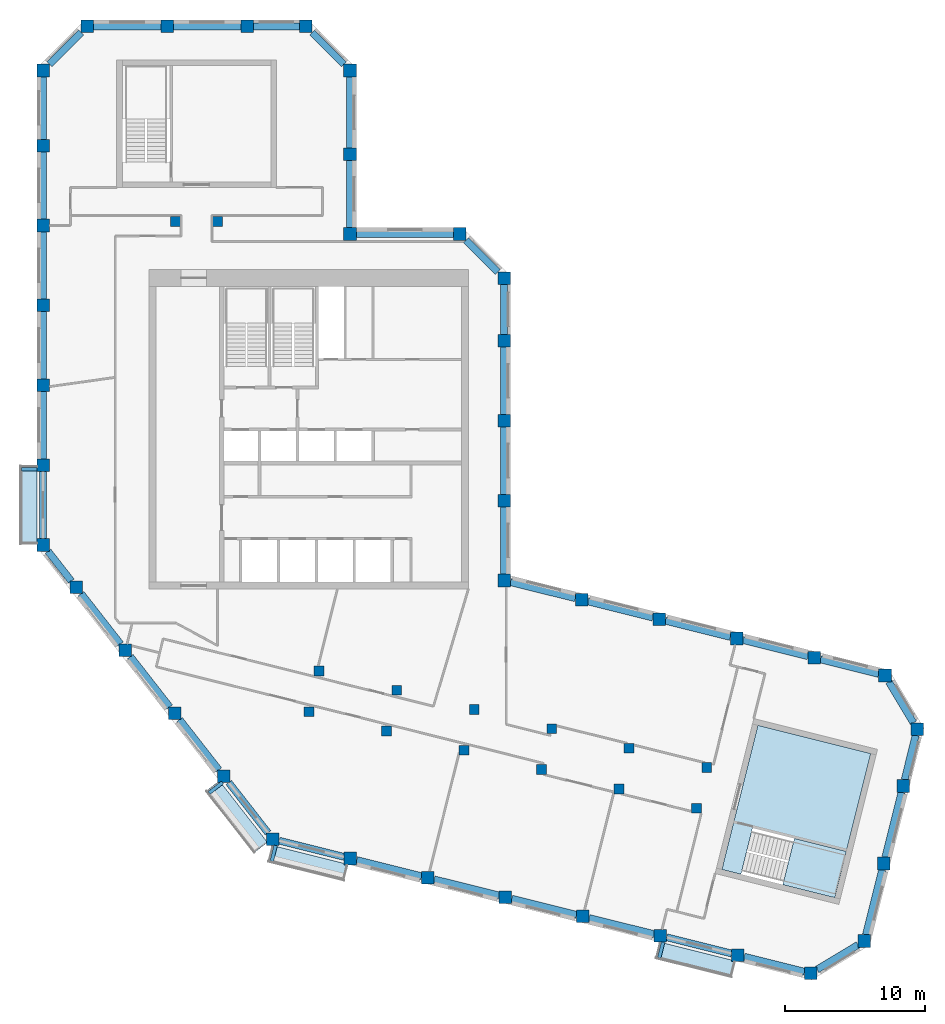
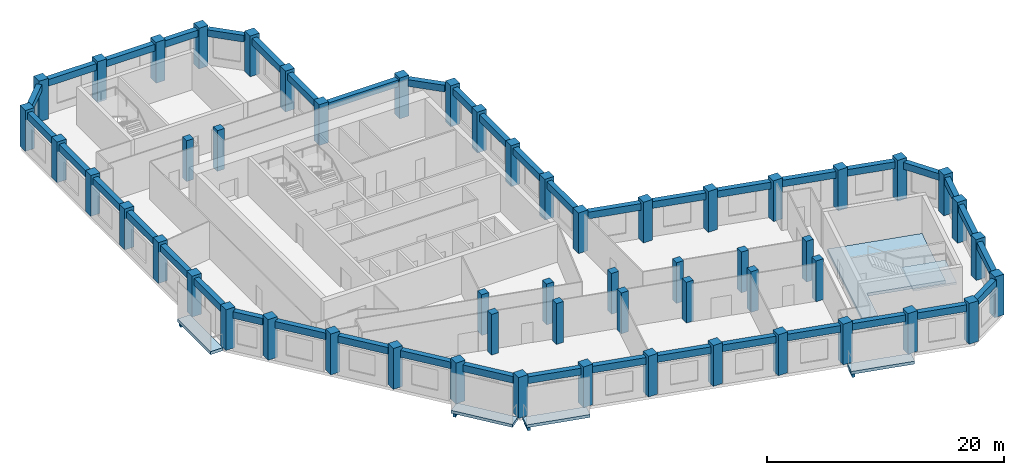
# One storey, part 1 of 8: 55 columns, 45 beams, 6 slabs, 1 element without a shape of its own.
"""IFC4 building model written with IfcOpenShell, lengths in metres."""

from ifc_helpers import new_model, si_unit, direction, frame, origin, origin_2d, place, context, subcontext, project, spatial, polyline, rectangle, outline, extrude, material, layer, layer_set, material_profile, profile_set, type_object, element, aggregate, save


model = new_model("IFC4")

# Units and contexts
model_context = context("Model", 3, precision=1e-05, world=origin(), true_north=direction((0.0, 1.0)))
body_context = subcontext(model_context, "Body", "Model", "MODEL_VIEW")
ifc_project = project(units=[si_unit("LENGTHUNIT", "METRE"), si_unit("AREAUNIT", "SQUARE_METRE"), si_unit("VOLUMEUNIT", "CUBIC_METRE"), si_unit("PLANEANGLEUNIT", "RADIAN"), si_unit("MASSUNIT", "GRAM", prefix="KILO")], contexts=[model_context])

# Site, building, storey
site_placement = place(None, origin())
site = spatial("IfcSite", under=ifc_project, at=site_placement, CompositionType="ELEMENT")
building_placement = place(site_placement, origin())
building = spatial("IfcBuilding", under=site, at=building_placement, Name="Meshkara Civic Tower", CompositionType="ELEMENT")
storey_placement = place(building_placement, frame((0.0, 0.0, 362.39990234375)))
storey = spatial("IfcBuildingStorey", under=building, at=storey_placement, Name="L83", CompositionType="ELEMENT", Elevation=362.39990234375)

# Columns
ifc_material_1 = material(Name="Concrete C50", Category="concrete")
ifc_material_profile_1 = material_profile(ifc_material_1, rectangle(XDim=0.699951171875, YDim=0.699951171875, at=origin_2d()))
ifc_profile_set_1 = profile_set([ifc_material_profile_1], Name="Concrete C50")
column_type_1 = type_object("IfcColumnType", Name="Interior column RC 700x700 C50", PredefinedType="COLUMN", material=ifc_profile_set_1)
for number, where, z_axis, x_axis, name in (
    (1, (9.89990234375, 40.35009765625, 0.0), (0.0, 0.0, 1.0), (1.0, 0.0, 0.0), "Column SA1-04 L83"),
    (2, (12.89990234375, 40.35009765625, 0.0), (0.0, 0.0, 1.0), (1.0, 0.0, 0.0), "Column SA2-04 L83"),
    (3, (19.424072265625, 5.360107421875, 0.0), (0.0, 0.0, 1.0), (1.0, 0.0, 0.0), "Column SB1-00 L83"),
    (4, (24.9541015625, 3.98095703125, 0.0), (0.0, 0.0, 1.0), (1.0, 0.0, 0.0), "Column SB1-01 L83"),
    (5, (30.485107421875, 2.60205078125, 0.0), (0.0, 0.0, 1.0), (1.0, 0.0, 0.0), "Column SB1-02 L83"),
    (6, (36.01611328125, 1.222900390625, 0.0), (0.0, 0.0, 1.0), (1.0, 0.0, 0.0), "Column SB1-03 L83"),
    (7, (41.5458984375, -0.156005859375, 0.0), (0.0, 0.0, 1.0), (1.0, 0.0, 0.0), "Column SB1-04 L83"),
    (8, (47.076904296875, -1.534912109375, 0.0), (0.0, 0.0, 1.0), (1.0, 0.0, 0.0), "Column SB1-05 L83"),
    (9, (20.14892578125, 8.27099609375, 0.0), (0.0, 0.0, 1.0), (1.0, 0.0, 0.0), "Column SB2-00 L83"),
    (10, (25.679931640625, 6.89208984375, 0.0), (0.0, 0.0, 1.0), (1.0, 0.0, 0.0), "Column SB2-01 L83"),
    (11, (31.2109375, 5.512939453125, 0.0), (0.0, 0.0, 1.0), (1.0, 0.0, 0.0), "Column SB2-02 L83"),
    (12, (36.741943359375, 4.134033203125, 0.0), (0.0, 0.0, 1.0), (1.0, 0.0, 0.0), "Column SB2-03 L83"),
    (13, (42.27197265625, 2.7548828125, 0.0), (0.0, 0.0, 1.0), (1.0, 0.0, 0.0), "Column SB2-04 L83"),
    (14, (47.802978515625, 1.3759765625, 0.0), (0.0, 0.0, 1.0), (1.0, 0.0, 0.0), "Column SB2-05 L83"),
):
    element("IfcColumn", number, at=place(storey_placement, frame(where, z_axis=z_axis, x_axis=x_axis)), inside=storey, type_object=column_type_1, Name=name, PredefinedType="COLUMN", context=body_context, shape_type="SweptSolid", body=[
        extrude(rectangle(XDim=0.699951171875, YDim=0.699951171875, at=origin_2d()), origin(), (0.0, 0.0, 1.0), 4.2001953125),
    ])
ifc_material_2 = material(Name="Concrete C50", Category="concrete")
ifc_material_profile_2 = material_profile(ifc_material_2, rectangle(XDim=0.89990234375, YDim=0.89990234375, at=origin_2d()))
ifc_profile_set_2 = profile_set([ifc_material_profile_2], Name="Concrete C50")
column_type_2 = type_object("IfcColumnType", Name="Perimeter column RC 900x900 C50", PredefinedType="COLUMN", material=ifc_profile_set_2)
for number, where, z_axis, x_axis, name in (
    (15, (33.35009765625, 14.718994140625, 0.0), (0.0, 0.0, 1.0), (1.0, 0.0, 0.0), "Column HE00 L83"),
    (16, (33.35009765625, 20.4189453125, 0.0), (0.0, 0.0, 1.0), (1.0, 0.0, 0.0), "Column HE01 L83"),
    (17, (33.35009765625, 26.118896484375, 0.0), (0.0, 0.0, 1.0), (1.0, 0.0, 0.0), "Column HE02 L83"),
    (18, (33.35009765625, 31.819091796875, 0.0), (0.0, 0.0, 1.0), (1.0, 0.0, 0.0), "Column HE03 L83"),
    (19, (33.35009765625, 36.2939453125, 0.0), (0.0, 0.0, 1.0), (1.0, 0.0, 0.0), "Column HEE L83"),
    (20, (30.194091796875, 39.449951171875, 0.0), (0.0, 0.0, 1.0), (1.0, 0.0, 0.0), "Column HCeE L83"),
    (21, (22.35009765625, 39.449951171875, 0.0), (0.0, 0.0, 1.0), (1.0, 0.0, 0.0), "Column HN00 L83"),
    (22, (22.35009765625, 45.14990234375, 0.0), (0.0, 0.0, 1.0), (1.0, 0.0, 0.0), "Column AE01 L83"),
    (23, (22.35009765625, 51.114013671875, 0.0), (0.0, 0.0, 1.0), (1.0, 0.0, 0.0), "Column AEEP5 L83"),
    (24, (19.194091796875, 54.27001953125, 0.0), (0.0, 0.0, 1.0), (1.0, 0.0, 0.0), "Column ATiEP5 L83"),
    (25, (3.60595703125, 54.27001953125, 0.0), (0.0, 0.0, 1.0), (1.0, 0.0, 0.0), "Column AT00-P5 L83"),
    (26, (9.305908203125, 54.27001953125, 0.0), (0.0, 0.0, 1.0), (1.0, 0.0, 0.0), "Column AT01-P5 L83"),
    (27, (15.006103515625, 54.27001953125, 0.0), (0.0, 0.0, 1.0), (1.0, 0.0, 0.0), "Column AT02-P5 L83"),
    (28, (0.449951171875, 51.114013671875, 0.0), (0.0, 0.0, 1.0), (1.0, 0.0, 0.0), "Column ATo00-P5 L83"),
    (29, (0.449951171875, 17.2548828125, 0.0), (0.0, 0.0, 1.0), (1.0, 0.0, 0.0), "Column AW00 L83"),
    (30, (0.449951171875, 22.955078125, 0.0), (0.0, 0.0, 1.0), (1.0, 0.0, 0.0), "Column AW01 L83"),
    (31, (0.449951171875, 28.655029296875, 0.0), (0.0, 0.0, 1.0), (1.0, 0.0, 0.0), "Column AW02 L83"),
    (32, (0.449951171875, 34.35498046875, 0.0), (0.0, 0.0, 1.0), (1.0, 0.0, 0.0), "Column AW03 L83"),
    (33, (0.449951171875, 40.054931640625, 0.0), (0.0, 0.0, 1.0), (1.0, 0.0, 0.0), "Column AW04 L83"),
    (34, (0.449951171875, 45.7548828125, 0.0), (0.0, 0.0, 1.0), (1.0, 0.0, 0.0), "Column AW05 L83"),
    (35, (16.85107421875, -3.738037109375, 0.0), (0.0, 0.0, 1.0), (1.0, 0.0, 0.0), "Column BOW00 L83"),
    (36, (13.342041015625, 0.75390625, 0.0), (0.0, 0.0, 1.0), (1.0, 0.0, 0.0), "Column BOW01 L83"),
    (37, (9.8330078125, 5.2451171875, 0.0), (0.0, 0.0, 1.0), (1.0, 0.0, 0.0), "Column BOW02 L83"),
    (38, (6.322998046875, 9.737060546875, 0.0), (0.0, 0.0, 1.0), (1.0, 0.0, 0.0), "Column BOW03 L83"),
    (39, (2.81396484375, 14.22900390625, 0.0), (0.0, 0.0, 1.0), (1.0, 0.0, 0.0), "Column BOW04 L83"),
    (40, (22.382080078125, -5.116943359375, 0.0), (0.0, 0.0, 1.0), (1.0, 0.0, 0.0), "Column BS01 L83"),
    (41, (27.912109375, -6.49609375, 0.0), (0.0, 0.0, 1.0), (1.0, 0.0, 0.0), "Column BS02 L83"),
    (42, (33.443115234375, -7.875, 0.0), (0.0, 0.0, 1.0), (1.0, 0.0, 0.0), "Column BS03 L83"),
    (43, (38.97412109375, -9.25390625, 0.0), (0.0, 0.0, 1.0), (1.0, 0.0, 0.0), "Column BS04 L83"),
    (44, (44.50390625, -10.633056640625, 0.0), (0.0, 0.0, 1.0), (1.0, 0.0, 0.0), "Column BS05-P4 L83"),
    (45, (50.034912109375, -12.011962890625, 0.0), (0.0, 0.0, 1.0), (1.0, 0.0, 0.0), "Column BS06-P4 L83"),
    (46, (55.235107421875, -13.30810546875, 0.0), (0.0, 0.0, 1.0), (1.0, 0.0, 0.0), "Column BSEP5 L83"),
    (47, (59.06103515625, -11.009033203125, 0.0), (0.0, 0.0, 1.0), (1.0, 0.0, 0.0), "Column BToEP5 L83"),
    (48, (60.43994140625, -5.47802734375, 0.0), (0.0, 0.0, 1.0), (1.0, 0.0, 0.0), "Column BT01-P5 L83"),
    (49, (61.819091796875, 0.052001953125, 0.0), (0.0, 0.0, 1.0), (1.0, 0.0, 0.0), "Column BT02-P5 L83"),
    (50, (62.83203125, 4.114990234375, 0.0), (0.0, 0.0, 1.0), (1.0, 0.0, 0.0), "Column BTEP5 L83"),
    (51, (60.532958984375, 7.94091796875, 0.0), (0.0, 0.0, 1.0), (1.0, 0.0, 0.0), "Column BTi00-P5 L83"),
    (52, (38.881103515625, 13.340087890625, 0.0), (0.0, 0.0, 1.0), (1.0, 0.0, 0.0), "Column BN01 L83"),
    (53, (44.410888671875, 11.9609375, 0.0), (0.0, 0.0, 1.0), (1.0, 0.0, 0.0), "Column BN02 L83"),
    (54, (49.94189453125, 10.58203125, 0.0), (0.0, 0.0, 1.0), (1.0, 0.0, 0.0), "Column BN03 L83"),
    (55, (55.472900390625, 9.202880859375, 0.0), (0.0, 0.0, 1.0), (1.0, 0.0, 0.0), "Column BN04 L83"),
):
    element("IfcColumn", number, at=place(storey_placement, frame(where, z_axis=z_axis, x_axis=x_axis)), inside=storey, type_object=column_type_2, Name=name, PredefinedType="COLUMN", context=body_context, shape_type="SweptSolid", body=[
        extrude(rectangle(XDim=0.89990234375, YDim=0.89990234375, at=origin_2d()), origin(), (0.0, 0.0, 1.0), 4.2001953125),
    ])

# Beams
ifc_material_3 = material(Name="Concrete C50", Category="concrete")
ifc_material_profile_3 = material_profile(ifc_material_3, rectangle(XDim=0.25, YDim=0.39990234375, at=origin_2d()))
ifc_profile_set_3 = profile_set([ifc_material_profile_3], Name="Concrete C50")
beam_type_1 = type_object("IfcBeamType", Name="Balcony bracket beam RC 250x400 C50", PredefinedType="BEAM", material=ifc_profile_set_3)
beam_1_placement = place(storey_placement, frame((0.0048828125, 22.655029296875, -0.5), z_axis=(-1.0, 0.0, 0.0), x_axis=(0.0, -1.0, 0.0)))
element("IfcBeam", 56, at=beam_1_placement, inside=storey, type_object=beam_type_1, Name="Balcony bracket beam", PredefinedType="BEAM", context=body_context, shape_type="SweptSolid", body=[
    extrude(rectangle(XDim=0.25, YDim=0.39990234375, at=origin_2d()), origin(), (0.0, 0.0, 1.0), 1.10498046875),
])
beam_2_placement = place(storey_placement, frame((13.257080078125, 0.306884765625, -0.5), z_axis=(-0.788012120422, -0.615659725878, 0.0), x_axis=(0.615659725878, -0.788012120422, 0.0)))
element("IfcBeam", 57, at=beam_2_placement, inside=storey, type_object=beam_type_1, Name="Balcony bracket beam", PredefinedType="BEAM", context=body_context, shape_type="SweptSolid", body=[
    extrude(rectangle(XDim=0.25, YDim=0.39990234375, at=origin_2d()), origin(), (0.0, 0.0, 1.0), 1.208251953125),
])
beam_3_placement = place(storey_placement, frame((17.049072265625, -4.18310546875, -0.5), z_axis=(-0.241944119929, -0.970290184858, 0.0), x_axis=(0.970290184858, -0.241944119929, 0.0)))
element("IfcBeam", 58, at=beam_3_placement, inside=storey, type_object=beam_type_1, Name="Balcony bracket beam", PredefinedType="BEAM", context=body_context, shape_type="SweptSolid", body=[
    extrude(rectangle(XDim=0.25, YDim=0.39990234375, at=origin_2d()), origin(), (0.0, 0.0, 1.0), 1.16552734375),
])
beam_4_placement = place(storey_placement, frame((44.701904296875, -11.077880859375, -0.5), z_axis=(-0.241894953997, -0.970302443175, 0.0), x_axis=(0.970302443175, -0.241894953997, 0.0)))
element("IfcBeam", 59, at=beam_4_placement, inside=storey, type_object=beam_type_1, Name="Balcony bracket beam", PredefinedType="BEAM", context=body_context, shape_type="SweptSolid", body=[
    extrude(rectangle(XDim=0.25, YDim=0.39990234375, at=origin_2d()), origin(), (0.0, 0.0, 1.0), 1.165771484375),
])
ifc_material_4 = material(Name="Concrete C50", Category="concrete")
ifc_material_profile_4 = material_profile(ifc_material_4, rectangle(XDim=0.5, YDim=0.699951171875, at=origin_2d()))
ifc_profile_set_4 = profile_set([ifc_material_profile_4], Name="Concrete C50")
beam_type_2 = type_object("IfcBeamType", Name="Spandrel beam RC 500x700 C50", PredefinedType="BEAM", material=ifc_profile_set_4)
for number, where, z_axis, x_axis, name in (
    (60, (55.02783203125, 9.31396484375, 3.550048828125), (-0.970298442389, 0.241911001604, 0.0), (-0.241911001604, -0.970298442389, 0.0), "Spandrel beam BN03-BN04"),
    (61, (49.496826171875, 10.693115234375, 3.550048828125), (-0.970298442389, 0.241911001604, 0.0), (-0.241911001604, -0.970298442389, 0.0), "Spandrel beam BN02-BN03"),
):
    element("IfcBeam", number, at=place(storey_placement, frame(where, z_axis=z_axis, x_axis=x_axis)), inside=storey, type_object=beam_type_2, Name=name, PredefinedType="BEAM", context=body_context, shape_type="SweptSolid", body=[
        extrude(rectangle(XDim=0.5, YDim=0.699951171875, at=origin_2d()), origin(), (0.0, 0.0, 1.0), 4.78271484375),
    ])
beam_5_placement = place(storey_placement, frame((43.9658203125, 12.072021484375, 3.550048828125), z_axis=(-0.970286489601, 0.241958938867, 0.0), x_axis=(-0.241958938867, -0.970286489601, 0.0)))
element("IfcBeam", 62, at=beam_5_placement, inside=storey, type_object=beam_type_2, Name="Spandrel beam BN01-BN02", PredefinedType="BEAM", context=body_context, shape_type="SweptSolid", body=[
    extrude(rectangle(XDim=0.5, YDim=0.699951171875, at=origin_2d()), origin(), (0.0, 0.0, 1.0), 4.78173828125),
])
beam_6_placement = place(storey_placement, frame((38.435791015625, 13.450927734375, 3.550048828125), z_axis=(-0.970298442389, 0.241911001604, 0.0), x_axis=(-0.241911001604, -0.970298442389, 0.0)))
element("IfcBeam", 63, at=beam_6_placement, inside=storey, type_object=beam_type_2, Name="Spandrel beam BN01-HE00", PredefinedType="BEAM", context=body_context, shape_type="SweptSolid", body=[
    extrude(rectangle(XDim=0.5, YDim=0.699951171875, at=origin_2d()), origin(), (0.0, 0.0, 1.0), 4.78271484375),
])
for number, where, z_axis, x_axis, name in (
    (64, (33.35009765625, 15.1640625, 3.550048828125), (0.0, 1.0, 0.0), (-1.0, 0.0, 0.0), "Spandrel beam HE00-HE01"),
    (65, (33.35009765625, 20.864013671875, 3.550048828125), (0.0, 1.0, 0.0), (-1.0, 0.0, 0.0), "Spandrel beam HE01-HE02"),
    (66, (33.35009765625, 26.56396484375, 3.550048828125), (0.0, 1.0, 0.0), (-1.0, 0.0, 0.0), "Spandrel beam HE02-HE03"),
):
    element("IfcBeam", number, at=place(storey_placement, frame(where, z_axis=z_axis, x_axis=x_axis)), inside=storey, type_object=beam_type_2, Name=name, PredefinedType="BEAM", context=body_context, shape_type="SweptSolid", body=[
        extrude(rectangle(XDim=0.5, YDim=0.699951171875, at=origin_2d()), origin(), (0.0, 0.0, 1.0), 4.81005859375),
    ])
beam_7_placement = place(storey_placement, frame((33.35009765625, 32.263916015625, 3.550048828125), z_axis=(0.0, 1.0, 0.0), x_axis=(-1.0, 0.0, 0.0)))
element("IfcBeam", 67, at=beam_7_placement, inside=storey, type_object=beam_type_2, Name="Spandrel beam HE03-HEE", PredefinedType="BEAM", context=body_context, shape_type="SweptSolid", body=[
    extrude(rectangle(XDim=0.5, YDim=0.699951171875, at=origin_2d()), origin(), (0.0, 0.0, 1.0), 3.585205078125),
])
beam_8_placement = place(storey_placement, frame((32.903564453125, 36.740478515625, 3.550048828125), z_axis=(-0.707144921739, 0.707068638576, 0.0), x_axis=(-0.707068638576, -0.707144921739, 0.0)))
element("IfcBeam", 68, at=beam_8_placement, inside=storey, type_object=beam_type_2, Name="Spandrel beam HCeE-HEE", PredefinedType="BEAM", context=body_context, shape_type="SweptSolid", body=[
    extrude(rectangle(XDim=0.5, YDim=0.699951171875, at=origin_2d()), origin(), (0.0, 0.0, 1.0), 3.200439453125),
])
beam_9_placement = place(storey_placement, frame((29.7490234375, 39.449951171875, 3.550048828125), z_axis=(-1.0, 0.0, 0.0), x_axis=(0.0, -1.0, 0.0)))
element("IfcBeam", 69, at=beam_9_placement, inside=storey, type_object=beam_type_2, Name="Spandrel beam HCeE-HN00", PredefinedType="BEAM", context=body_context, shape_type="SweptSolid", body=[
    extrude(rectangle(XDim=0.5, YDim=0.699951171875, at=origin_2d()), origin(), (0.0, 0.0, 1.0), 6.9541015625),
])
beam_10_placement = place(storey_placement, frame((22.35009765625, 39.89501953125, 3.550048828125), z_axis=(0.0, 1.0, 0.0), x_axis=(-1.0, 0.0, 0.0)))
element("IfcBeam", 70, at=beam_10_placement, inside=storey, type_object=beam_type_2, Name="Spandrel beam AE01-HN00", PredefinedType="BEAM", context=body_context, shape_type="SweptSolid", body=[
    extrude(rectangle(XDim=0.5, YDim=0.699951171875, at=origin_2d()), origin(), (0.0, 0.0, 1.0), 4.81005859375),
])
beam_11_placement = place(storey_placement, frame((22.35009765625, 45.594970703125, 3.550048828125), z_axis=(0.0, 1.0, 0.0), x_axis=(-1.0, 0.0, 0.0)))
element("IfcBeam", 71, at=beam_11_placement, inside=storey, type_object=beam_type_2, Name="Spandrel beam AE01-AEEP5", PredefinedType="BEAM", context=body_context, shape_type="SweptSolid", body=[
    extrude(rectangle(XDim=0.5, YDim=0.699951171875, at=origin_2d()), origin(), (0.0, 0.0, 1.0), 5.073974609375),
])
beam_12_placement = place(storey_placement, frame((21.903564453125, 51.560546875, 3.550048828125), z_axis=(-0.707144921739, 0.707068638576, 0.0), x_axis=(-0.707068638576, -0.707144921739, 0.0)))
element("IfcBeam", 72, at=beam_12_placement, inside=storey, type_object=beam_type_2, Name="Spandrel beam AEEP5-ATiEP5", PredefinedType="BEAM", context=body_context, shape_type="SweptSolid", body=[
    extrude(rectangle(XDim=0.5, YDim=0.699951171875, at=origin_2d()), origin(), (0.0, 0.0, 1.0), 3.200439453125),
])
beam_13_placement = place(storey_placement, frame((18.7490234375, 54.27001953125, 3.550048828125), z_axis=(-1.0, 0.0, 0.0), x_axis=(0.0, -1.0, 0.0)))
element("IfcBeam", 73, at=beam_13_placement, inside=storey, type_object=beam_type_2, Name="Spandrel beam AT02-P5-ATiEP5", PredefinedType="BEAM", context=body_context, shape_type="SweptSolid", body=[
    extrude(rectangle(XDim=0.5, YDim=0.699951171875, at=origin_2d()), origin(), (0.0, 0.0, 1.0), 3.298095703125),
])
for number, where, z_axis, x_axis, name in (
    (74, (14.56103515625, 54.27001953125, 3.550048828125), (-1.0, 0.0, 0.0), (0.0, -1.0, 0.0), "Spandrel beam AT01-P5-AT02-P5"),
    (75, (8.861083984375, 54.27001953125, 3.550048828125), (-1.0, 0.0, 0.0), (0.0, -1.0, 0.0), "Spandrel beam AT00-P5-AT01-P5"),
):
    element("IfcBeam", number, at=place(storey_placement, frame(where, z_axis=z_axis, x_axis=x_axis)), inside=storey, type_object=beam_type_2, Name=name, PredefinedType="BEAM", context=body_context, shape_type="SweptSolid", body=[
        extrude(rectangle(XDim=0.5, YDim=0.699951171875, at=origin_2d()), origin(), (0.0, 0.0, 1.0), 4.81005859375),
    ])
beam_14_placement = place(storey_placement, frame((3.159423828125, 53.823486328125, 3.550048828125), z_axis=(-0.707106781187, -0.707106781187, 0.0), x_axis=(0.707106781187, -0.707106781187, 0.0)))
element("IfcBeam", 76, at=beam_14_placement, inside=storey, type_object=beam_type_2, Name="Spandrel beam AT00-P5-ATo00-P5", PredefinedType="BEAM", context=body_context, shape_type="SweptSolid", body=[
    extrude(rectangle(XDim=0.5, YDim=0.699951171875, at=origin_2d()), origin(), (0.0, 0.0, 1.0), 3.2001953125),
])
beam_15_placement = place(storey_placement, frame((0.449951171875, 50.6689453125, 3.550048828125), z_axis=(0.0, -1.0, 0.0), x_axis=(1.0, 0.0, 0.0)))
element("IfcBeam", 77, at=beam_15_placement, inside=storey, type_object=beam_type_2, Name="Spandrel beam ATo00-P5-AW05", PredefinedType="BEAM", context=body_context, shape_type="SweptSolid", body=[
    extrude(rectangle(XDim=0.5, YDim=0.699951171875, at=origin_2d()), origin(), (0.0, 0.0, 1.0), 4.468994140625),
])
for number, where, z_axis, x_axis, name in (
    (78, (0.449951171875, 45.31005859375, 3.550048828125), (0.0, -1.0, 0.0), (1.0, 0.0, 0.0), "Spandrel beam AW04-AW05"),
    (79, (0.449951171875, 39.610107421875, 3.550048828125), (0.0, -1.0, 0.0), (1.0, 0.0, 0.0), "Spandrel beam AW03-AW04"),
):
    element("IfcBeam", number, at=place(storey_placement, frame(where, z_axis=z_axis, x_axis=x_axis)), inside=storey, type_object=beam_type_2, Name=name, PredefinedType="BEAM", context=body_context, shape_type="SweptSolid", body=[
        extrude(rectangle(XDim=0.5, YDim=0.699951171875, at=origin_2d()), origin(), (0.0, 0.0, 1.0), 4.81005859375),
    ])
beam_16_placement = place(storey_placement, frame((0.449951171875, 33.909912109375, 3.550048828125), z_axis=(0.0, -1.0, 0.0), x_axis=(1.0, 0.0, 0.0)))
element("IfcBeam", 80, at=beam_16_placement, inside=storey, type_object=beam_type_2, Name="Spandrel beam AW02-AW03", PredefinedType="BEAM", context=body_context, shape_type="SweptSolid", body=[
    extrude(rectangle(XDim=0.5, YDim=0.699951171875, at=origin_2d()), origin(), (0.0, 0.0, 1.0), 4.809814453125),
])
for number, where, z_axis, x_axis, name in (
    (81, (0.449951171875, 28.2099609375, 3.550048828125), (0.0, -1.0, 0.0), (1.0, 0.0, 0.0), "Spandrel beam AW01-AW02"),
    (82, (0.449951171875, 22.510009765625, 3.550048828125), (0.0, -1.0, 0.0), (1.0, 0.0, 0.0), "Spandrel beam AW00-AW01"),
):
    element("IfcBeam", number, at=place(storey_placement, frame(where, z_axis=z_axis, x_axis=x_axis)), inside=storey, type_object=beam_type_2, Name=name, PredefinedType="BEAM", context=body_context, shape_type="SweptSolid", body=[
        extrude(rectangle(XDim=0.5, YDim=0.699951171875, at=origin_2d()), origin(), (0.0, 0.0, 1.0), 4.81005859375),
    ])
beam_17_placement = place(storey_placement, frame((0.798583984375, 16.808837890625, 3.550048828125), z_axis=(0.615637043197, -0.788029841468, 0.0), x_axis=(0.788029841468, 0.615637043197, 0.0)))
element("IfcBeam", 83, at=beam_17_placement, inside=storey, type_object=beam_type_2, Name="Spandrel beam AW00-BOW04", PredefinedType="BEAM", context=body_context, shape_type="SweptSolid", body=[
    extrude(rectangle(XDim=0.5, YDim=0.699951171875, at=origin_2d()), origin(), (0.0, 0.0, 1.0), 2.707763671875),
])
beam_18_placement = place(storey_placement, frame((3.162353515625, 13.782958984375, 3.550048828125), z_axis=(0.615626410665, -0.788038147865, 0.0), x_axis=(0.788038147865, 0.615626410665, 0.0)))
element("IfcBeam", 84, at=beam_18_placement, inside=storey, type_object=beam_type_2, Name="Spandrel beam BOW03-BOW04", PredefinedType="BEAM", context=body_context, shape_type="SweptSolid", body=[
    extrude(rectangle(XDim=0.5, YDim=0.699951171875, at=origin_2d()), origin(), (0.0, 0.0, 1.0), 4.568115234375),
])
beam_19_placement = place(storey_placement, frame((6.67138671875, 9.291015625, 3.550048828125), z_axis=(0.615759141311, -0.787934438829, 0.0), x_axis=(0.787934438829, 0.615759141311, 0.0)))
element("IfcBeam", 85, at=beam_19_placement, inside=storey, type_object=beam_type_2, Name="Spandrel beam BOW02-BOW03", PredefinedType="BEAM", context=body_context, shape_type="SweptSolid", body=[
    extrude(rectangle(XDim=0.5, YDim=0.699951171875, at=origin_2d()), origin(), (0.0, 0.0, 1.0), 4.568603515625),
])
beam_20_placement = place(storey_placement, frame((10.181396484375, 4.798828125, 3.550048828125), z_axis=(0.615722879711, -0.78796277539, 0.0), x_axis=(0.78796277539, 0.615722879711, 0.0)))
element("IfcBeam", 86, at=beam_20_placement, inside=storey, type_object=beam_type_2, Name="Spandrel beam BOW01-BOW02", PredefinedType="BEAM", context=body_context, shape_type="SweptSolid", body=[
    extrude(rectangle(XDim=0.5, YDim=0.699951171875, at=origin_2d()), origin(), (0.0, 0.0, 1.0), 4.56689453125),
])
beam_21_placement = place(storey_placement, frame((13.6904296875, 0.307861328125, 3.550048828125), z_axis=(0.615626410665, -0.788038147865, 0.0), x_axis=(0.788038147865, 0.615626410665, 0.0)))
element("IfcBeam", 87, at=beam_21_placement, inside=storey, type_object=beam_type_2, Name="Spandrel beam BOW00-BOW01", PredefinedType="BEAM", context=body_context, shape_type="SweptSolid", body=[
    extrude(rectangle(XDim=0.5, YDim=0.699951171875, at=origin_2d()), origin(), (0.0, 0.0, 1.0), 4.568115234375),
])
beam_22_placement = place(storey_placement, frame((17.296142578125, -3.84912109375, 3.550048828125), z_axis=(0.970301429476, -0.241899020164, 0.0), x_axis=(0.241899020164, 0.970301429476, 0.0)))
element("IfcBeam", 88, at=beam_22_placement, inside=storey, type_object=beam_type_2, Name="Spandrel beam BOW00-BS01", PredefinedType="BEAM", context=body_context, shape_type="SweptSolid", body=[
    extrude(rectangle(XDim=0.5, YDim=0.699951171875, at=origin_2d()), origin(), (0.0, 0.0, 1.0), 4.782958984375),
])
beam_23_placement = place(storey_placement, frame((22.8271484375, -5.22802734375, 3.550048828125), z_axis=(0.970286489601, -0.241958938867, 0.0), x_axis=(0.241958938867, 0.970286489601, 0.0)))
element("IfcBeam", 89, at=beam_23_placement, inside=storey, type_object=beam_type_2, Name="Spandrel beam BS01-BS02", PredefinedType="BEAM", context=body_context, shape_type="SweptSolid", body=[
    extrude(rectangle(XDim=0.5, YDim=0.699951171875, at=origin_2d()), origin(), (0.0, 0.0, 1.0), 4.78173828125),
])
for number, where, z_axis, x_axis, name in (
    (90, (28.357177734375, -6.60693359375, 3.550048828125), (0.970298442389, -0.241911001604, 0.0), (0.241911001604, 0.970298442389, 0.0), "Spandrel beam BS02-BS03"),
    (91, (33.88818359375, -7.986083984375, 3.550048828125), (0.970298442389, -0.241911001604, 0.0), (0.241911001604, 0.970298442389, 0.0), "Spandrel beam BS03-BS04"),
):
    element("IfcBeam", number, at=place(storey_placement, frame(where, z_axis=z_axis, x_axis=x_axis)), inside=storey, type_object=beam_type_2, Name=name, PredefinedType="BEAM", context=body_context, shape_type="SweptSolid", body=[
        extrude(rectangle(XDim=0.5, YDim=0.699951171875, at=origin_2d()), origin(), (0.0, 0.0, 1.0), 4.78271484375),
    ])
beam_24_placement = place(storey_placement, frame((39.419189453125, -9.364990234375, 3.550048828125), z_axis=(0.970286489601, -0.241958938867, 0.0), x_axis=(0.241958938867, 0.970286489601, 0.0)))
element("IfcBeam", 92, at=beam_24_placement, inside=storey, type_object=beam_type_2, Name="Spandrel beam BS04-BS05-P4", PredefinedType="BEAM", context=body_context, shape_type="SweptSolid", body=[
    extrude(rectangle(XDim=0.5, YDim=0.699951171875, at=origin_2d()), origin(), (0.0, 0.0, 1.0), 4.78173828125),
])
beam_25_placement = place(storey_placement, frame((44.94921875, -10.743896484375, 3.550048828125), z_axis=(0.970298442389, -0.241911001604, 0.0), x_axis=(0.241911001604, 0.970298442389, 0.0)))
element("IfcBeam", 93, at=beam_25_placement, inside=storey, type_object=beam_type_2, Name="Spandrel beam BS05-P4-BS06-P4", PredefinedType="BEAM", context=body_context, shape_type="SweptSolid", body=[
    extrude(rectangle(XDim=0.5, YDim=0.699951171875, at=origin_2d()), origin(), (0.0, 0.0, 1.0), 4.78271484375),
])
beam_26_placement = place(storey_placement, frame((50.47998046875, -12.122802734375, 3.550048828125), z_axis=(0.97031362237, -0.241850106975, 0.0), x_axis=(0.241850106975, 0.97031362237, 0.0)))
element("IfcBeam", 94, at=beam_26_placement, inside=storey, type_object=beam_type_2, Name="Spandrel beam BS06-P4-BSEP5", PredefinedType="BEAM", context=body_context, shape_type="SweptSolid", body=[
    extrude(rectangle(XDim=0.5, YDim=0.699951171875, at=origin_2d()), origin(), (0.0, 0.0, 1.0), 4.441650390625),
])
beam_27_placement = place(storey_placement, frame((55.6806640625, -13.040283203125, 3.550048828125), z_axis=(0.857146668312, 0.515072411416, 0.0), x_axis=(-0.515072411416, 0.857146668312, 0.0)))
element("IfcBeam", 95, at=beam_27_placement, inside=storey, type_object=beam_type_2, Name="Spandrel beam BSEP5-BToEP5", PredefinedType="BEAM", context=body_context, shape_type="SweptSolid", body=[
    extrude(rectangle(XDim=0.5, YDim=0.699951171875, at=origin_2d()), origin(), (0.0, 0.0, 1.0), 3.423583984375),
])
beam_28_placement = place(storey_placement, frame((59.172119140625, -10.56396484375, 3.550048828125), z_axis=(0.241899020164, 0.970301429476, 0.0), x_axis=(-0.970301429476, 0.241899020164, 0.0)))
element("IfcBeam", 96, at=beam_28_placement, inside=storey, type_object=beam_type_2, Name="Spandrel beam BT01-P5-BToEP5", PredefinedType="BEAM", context=body_context, shape_type="SweptSolid", body=[
    extrude(rectangle(XDim=0.5, YDim=0.699951171875, at=origin_2d()), origin(), (0.0, 0.0, 1.0), 4.782958984375),
])
beam_29_placement = place(storey_placement, frame((60.551025390625, -5.032958984375, 3.550048828125), z_axis=(0.241946952825, 0.970289478464, 0.0), x_axis=(-0.970289478464, 0.241946952825, 0.0)))
element("IfcBeam", 97, at=beam_29_placement, inside=storey, type_object=beam_type_2, Name="Spandrel beam BT01-P5-BT02-P5", PredefinedType="BEAM", context=body_context, shape_type="SweptSolid", body=[
    extrude(rectangle(XDim=0.5, YDim=0.699951171875, at=origin_2d()), origin(), (0.0, 0.0, 1.0), 4.781982421875),
])
beam_30_placement = place(storey_placement, frame((61.929931640625, 0.4970703125, 3.550048828125), z_axis=(0.241903146974, 0.970300400641, 0.0), x_axis=(-0.970300400641, 0.241903146974, 0.0)))
element("IfcBeam", 98, at=beam_30_placement, inside=storey, type_object=beam_type_2, Name="Spandrel beam BT02-P5-BTEP5", PredefinedType="BEAM", context=body_context, shape_type="SweptSolid", body=[
    extrude(rectangle(XDim=0.5, YDim=0.699951171875, at=origin_2d()), origin(), (0.0, 0.0, 1.0), 3.27001953125),
])
beam_31_placement = place(storey_placement, frame((62.564208984375, 4.560791015625, 3.550048828125), z_axis=(-0.515072411416, 0.857146668312, 0.0), x_axis=(-0.857146668312, -0.515072411416, 0.0)))
element("IfcBeam", 99, at=beam_31_placement, inside=storey, type_object=beam_type_2, Name="Spandrel beam BTEP5-BTi00-P5", PredefinedType="BEAM", context=body_context, shape_type="SweptSolid", body=[
    extrude(rectangle(XDim=0.5, YDim=0.699951171875, at=origin_2d()), origin(), (0.0, 0.0, 1.0), 3.423583984375),
])
beam_32_placement = place(storey_placement, frame((60.087890625, 8.052001953125, 3.550048828125), z_axis=(-0.970272690872, 0.242014266826, 0.0), x_axis=(-0.242014266826, -0.970272690872, 0.0)))
element("IfcBeam", 100, at=beam_32_placement, inside=storey, type_object=beam_type_2, Name="Spandrel beam BN04-BTi00-P5", PredefinedType="BEAM", context=body_context, shape_type="SweptSolid", body=[
    extrude(rectangle(XDim=0.5, YDim=0.699951171875, at=origin_2d()), origin(), (0.0, 0.0, 1.0), 4.29736328125),
])

# Slabs
ifc_material_5 = material(Name="Concrete C40", Category="concrete")
ifc_layer_1 = layer(ifc_material_5, 0.300048828125)
ifc_layer_set_1 = layer_set([ifc_layer_1], Name="BALCONY SLAB")
slab_type_1 = type_object("IfcSlabType", Name="BALCONY SLAB", PredefinedType="FLOOR", material=ifc_layer_set_1)
slab_1_placement = place(storey_placement, frame((0.0, 0.0, -0.2998046875)))
element("IfcSlab", 101, at=slab_1_placement, inside=storey, type_object=slab_type_1, Name="Balcony slab", PredefinedType="FLOOR", context=body_context, shape_type="SweptSolid", body=[
    extrude(outline(polyline([(0.0, 17.705078125), (0.0, 17.31494140625), (-1.199951171875, 17.31494140625), (-1.199951171875, 22.89501953125), (0.0, 22.89501953125), (0.0, 22.5048828125), (0.0, 17.705078125)])), origin(), (0.0, 0.0, 1.0), 0.2998046875),
])
slab_2_placement = place(storey_placement, frame((0.0, 0.0, -0.2998046875)))
element("IfcSlab", 102, at=slab_2_placement, inside=storey, type_object=slab_type_1, Name="Balcony slab", PredefinedType="FLOOR", context=body_context, shape_type="SweptSolid", body=[
    extrude(outline(polyline([(15.513916015625, -4.7060546875), (12.0791015625, -0.30908203125), (12.89208984375, 0.325927734375), (12.89208984375, 0.303955078125), (13.1220703125, 0.303955078125), (16.40087890625, -3.89306640625), (16.40087890625, -4.012939453125), (15.513916015625, -4.7060546875)])), origin(), (0.0, 0.0, 1.0), 0.2998046875),
])
slab_3_placement = place(storey_placement, frame((0.0, 0.0, -0.2998046875)))
element("IfcSlab", 103, at=slab_3_placement, inside=storey, type_object=slab_type_1, Name="Balcony slab", PredefinedType="FLOOR", context=body_context, shape_type="SweptSolid", body=[
    extrude(outline(polyline([(21.925048828125, -6.702880859375), (16.510009765625, -5.35302734375), (16.800048828125, -4.18896484375), (21.931884765625, -5.468017578125), (21.931884765625, -5.56689453125), (22.2080078125, -5.56689453125), (21.925048828125, -6.702880859375)])), origin(), (0.0, 0.0, 1.0), 0.2998046875),
])
slab_4_placement = place(storey_placement, frame((0.0, 0.0, -0.2998046875)))
element("IfcSlab", 104, at=slab_4_placement, inside=storey, type_object=slab_type_1, Name="Balcony slab", PredefinedType="FLOOR", context=body_context, shape_type="SweptSolid", body=[
    extrude(outline(polyline([(49.577880859375, -13.597900390625), (44.1630859375, -12.248046875), (44.452880859375, -11.083984375), (49.5849609375, -12.363037109375), (49.5849609375, -12.4619140625), (49.861083984375, -12.4619140625), (49.577880859375, -13.597900390625)])), origin(), (0.0, 0.0, 1.0), 0.2998046875),
])
ifc_material_6 = material(Name="Concrete C40/50", Category="concrete")
ifc_layer_2 = layer(ifc_material_6, 0.300048828125)
ifc_layer_set_2 = layer_set([ifc_layer_2], Name="Core floor slab 300 C40/50")
slab_type_2 = type_object("IfcSlabType", Name="Core floor slab 300 C40/50", PredefinedType="FLOOR", material=ifc_layer_set_2)
slab_5_placement = place(storey_placement, frame((0.0, 0.0, -0.2998046875)))
element("IfcSlab", 105, at=slab_5_placement, inside=storey, type_object=slab_type_2, Name="Core floor EB", PredefinedType="FLOOR", context=body_context, shape_type="SweptSolid", body=[
    extrude(outline(polyline([(51.45849609375, 4.381103515625), (59.511962890625, 2.373291015625), (57.77001953125, -4.61279296875), (51.076416015625, -2.944091796875), (50.25390625, -6.242919921875), (48.89404296875, -5.90380859375), (51.45849609375, 4.381103515625)])), origin(), (0.0, 0.0, 1.0), 0.2998046875),
])

# Stair, slab
ifc_material_7 = material(Name="Precast concrete C40/50", Category="concrete")
stair_type = type_object("IfcStairType", Name="Exit stair half-turn 24 risers precast", PredefinedType="HALF_TURN_STAIR", material=ifc_material_7)
stair_placement = place(storey_placement, origin())
stair = element("IfcStair", 106, at=stair_placement, inside=storey, type_object=stair_type, Name="L83 exit stair B from L80", PredefinedType="HALF_TURN_STAIR")
ifc_material_8 = material(Name="Precast concrete C40/50", Category="concrete")
ifc_layer_3 = layer(ifc_material_8, 0.199951171875)
ifc_layer_set_3 = layer_set([ifc_layer_3], Name="Exit stair landing 200")
slab_type_3 = type_object("IfcSlabType", Name="Exit stair landing 200", PredefinedType="LANDING", material=ifc_layer_set_3)
slab_6_placement = place(storey_placement, frame((0.0, 0.0, 1.900146484375)))
slab_6 = element("IfcSlab", 107, at=slab_6_placement, type_object=slab_type_3, Name="ESB6 landing 1", PredefinedType="LANDING", context=body_context, shape_type="SweptSolid", body=[
    extrude(outline(polyline([(53.2392578125, -6.987548828125), (56.947998046875, -7.912109375), (57.7705078125, -4.612060546875), (54.0615234375, -3.687744140625), (53.2392578125, -6.987548828125)])), origin(), (0.0, 0.0, 1.0), 0.199951171875),
])
aggregate(stair, [slab_6])

save(model, "model.ifc")
